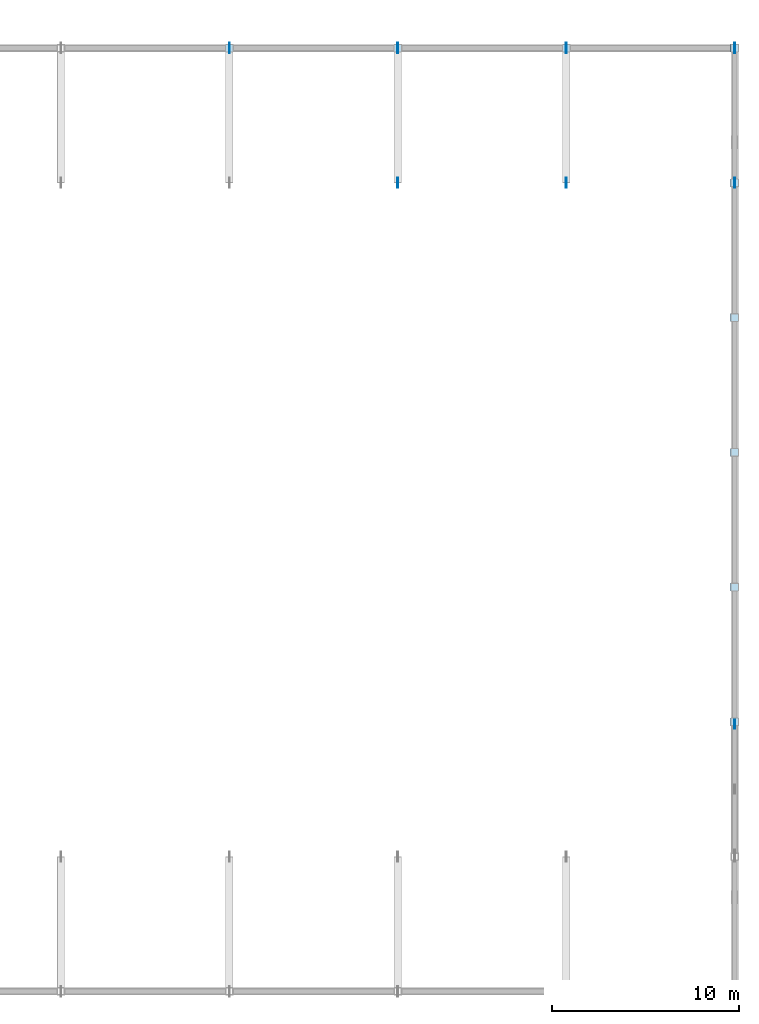
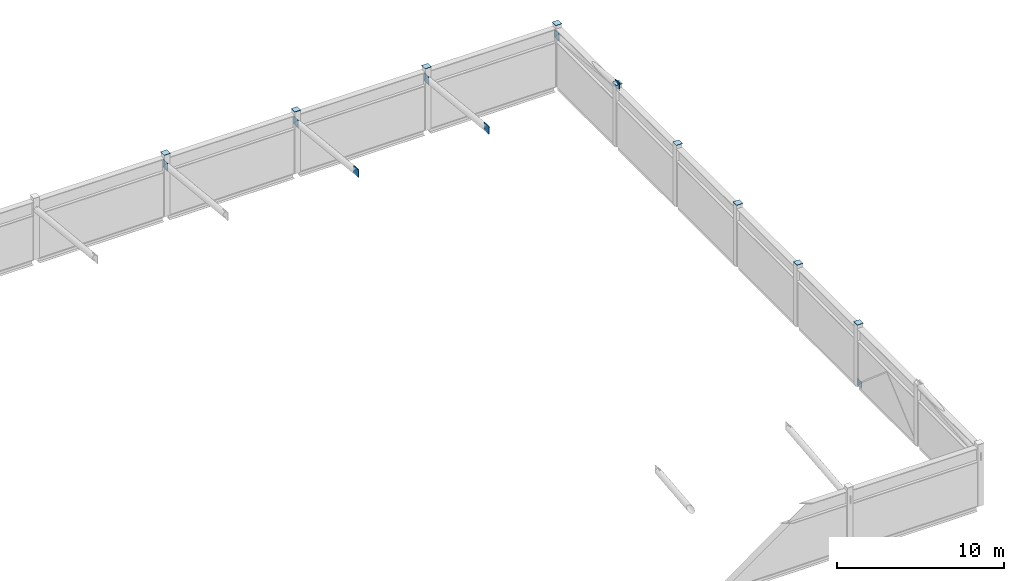
# One storey, part 98 of 124: 17 plates.
"""IFC4 building model written with IfcOpenShell, lengths in metres."""

from ifc_helpers import new_model, si_unit, direction, frame, origin, origin_2d, place, context, subcontext, project, spatial, rectangle, extrude, material, layer, layer_set, type_object, element, save


model = new_model("IFC4")

# Units and contexts
model_context = context("Model", 3, precision=1e-05, world=origin(), true_north=direction((0.0, 1.0)))
body_context = subcontext(model_context, "Body", "Model", "MODEL_VIEW")
ifc_project = project(units=[si_unit("LENGTHUNIT", "METRE"), si_unit("AREAUNIT", "SQUARE_METRE"), si_unit("VOLUMEUNIT", "CUBIC_METRE"), si_unit("PLANEANGLEUNIT", "RADIAN"), si_unit("MASSUNIT", "GRAM", prefix="KILO")], contexts=[model_context])

# Site, building, storey
site_placement = place(None, origin())
site = spatial("IfcSite", under=ifc_project, at=site_placement, CompositionType="ELEMENT")
building_placement = place(site_placement, origin())
building = spatial("IfcBuilding", under=site, at=building_placement, Name="Celestram Park Convention Centre", CompositionType="ELEMENT")
storey_placement = place(building_placement, frame((0.0, 0.0, 15.300048828125)))
storey = spatial("IfcBuildingStorey", under=building, at=storey_placement, Name="L03", CompositionType="ELEMENT", Elevation=15.300048828125)

# Plates
ifc_material = material(Name="Steel ASTM A572 Grade 50", Category="steel")
ifc_layer_1 = layer(ifc_material, 0.02490234375)
ifc_layer_set_1 = layer_set([ifc_layer_1], Name="Steel ASTM A572 Grade 50")
plate_type_1 = type_object("IfcPlateType", Name="STR-PLT-EC400", PredefinedType="USERDEFINED", material=ifc_layer_set_1)
for number, where, z_axis, x_axis, name in (
    (1, (189.0, 165.60009765625, 4.49951171875), (0.0, 0.0, 1.0), (1.0, 0.0, 0.0), "HSS column end closure cap plate EC-L03-152"),
    (2, (198.0, 165.60009765625, 4.49951171875), (0.0, 0.0, 1.0), (1.0, 0.0, 0.0), "HSS column end closure cap plate EC-L03-156"),
    (3, (207.0, 165.60009765625, 4.49951171875), (0.0, 0.0, 1.0), (1.0, 0.0, 0.0), "HSS column end closure cap plate EC-L03-160"),
    (4, (216.0, 129.60009765625, 4.49951171875), (0.0, 0.0, 1.0), (1.0, 0.0, 0.0), "HSS column end closure cap plate EC-L03-166"),
    (5, (216.0, 136.800048828125, 4.49951171875), (0.0, 0.0, 1.0), (1.0, 0.0, 0.0), "HSS column end closure cap plate EC-L03-168"),
    (6, (216.0, 144.0, 4.49951171875), (0.0, 0.0, 1.0), (1.0, 0.0, 0.0), "HSS column end closure cap plate EC-L03-170"),
    (7, (216.0, 151.199951171875, 4.49951171875), (0.0, 0.0, 1.0), (1.0, 0.0, 0.0), "HSS column end closure cap plate EC-L03-172"),
    (8, (216.0, 158.39990234375, 4.49951171875), (0.0, 0.0, 1.0), (1.0, 0.0, 0.0), "HSS column end closure cap plate EC-L03-174"),
    (9, (216.0, 165.60009765625, 4.49951171875), (0.0, 0.0, 1.0), (1.0, 0.0, 0.0), "HSS column end closure cap plate EC-L03-176"),
):
    element("IfcPlate", number, at=place(storey_placement, frame(where, z_axis=z_axis, x_axis=x_axis)), inside=storey, type_object=plate_type_1, Name=name, ObjectType="GUSSET_PLATE", PredefinedType="USERDEFINED", context=body_context, shape_type="SweptSolid", body=[
        extrude(rectangle(XDim=0.429931640625, YDim=0.429931640625, at=origin_2d()), origin(), (0.0, 0.0, 1.0), 0.02490234375),
    ])
ifc_layer_2 = layer(ifc_material, 0.031982421875)
ifc_layer_set_2 = layer_set([ifc_layer_2], Name="Steel ASTM A572 Grade 50")
plate_type_2 = type_object("IfcPlateType", Name="STR-PLT-GP32", PredefinedType="USERDEFINED", material=ifc_layer_set_2)
plate_placement = place(storey_placement, frame((216.0, 129.47998046875, -0.090087890625), z_axis=(0.0, 0.0, 1.0), x_axis=(0.0, 1.0, 0.0)))
element("IfcPlate", 10, at=plate_placement, inside=storey, type_object=plate_type_2, Name="Chevron brace base gusset GP-L03-531", ObjectType="GUSSET_PLATE", PredefinedType="USERDEFINED", context=body_context, shape_type="SweptSolid", body=[
    extrude(rectangle(XDim=0.47998046875, YDim=0.031982421875, at=origin_2d()), origin(), (0.0, 0.0, 1.0), 0.47998046875),
])
ifc_layer_3 = layer(ifc_material, 0.0400390625)
ifc_layer_set_3 = layer_set([ifc_layer_3], Name="Steel ASTM A572 Grade 50")
plate_type_3 = type_object("IfcPlateType", Name="STR-PLT-GP40", PredefinedType="USERDEFINED", material=ifc_layer_set_3)
for number, where, z_axis, x_axis, name in (
    (11, (189.0, 165.60009765625, 3.3388671875), (0.0, 0.0, 1.0), (0.0, 1.0, 0.0), "V2 truss node gusset plate"),
    (12, (198.0, 158.39990234375, 4.083984375), (0.0, 0.0, 1.0), (0.0, 1.0, 0.0), "V2 truss node gusset plate"),
    (13, (198.0, 165.60009765625, 3.3388671875), (0.0, 0.0, 1.0), (0.0, 1.0, 0.0), "V2 truss node gusset plate"),
    (14, (207.0, 158.39990234375, 4.083984375), (0.0, 0.0, 1.0), (0.0, 1.0, 0.0), "V2 truss node gusset plate"),
    (15, (207.0, 165.60009765625, 3.3388671875), (0.0, 0.0, 1.0), (0.0, 1.0, 0.0), "V2 truss node gusset plate"),
    (16, (216.0, 158.39990234375, 4.083984375), (0.0, 0.0, 1.0), (0.0, 1.0, 0.0), "V2 truss node gusset plate"),
    (17, (216.0, 165.60009765625, 3.3388671875), (0.0, 0.0, 1.0), (0.0, 1.0, 0.0), "V2 truss node gusset plate"),
):
    element("IfcPlate", number, at=place(storey_placement, frame(where, z_axis=z_axis, x_axis=x_axis)), inside=storey, type_object=plate_type_3, Name=name, ObjectType="GUSSET_PLATE", PredefinedType="USERDEFINED", context=body_context, shape_type="SweptSolid", body=[
        extrude(rectangle(XDim=0.550048828125, YDim=0.0400390625, at=origin_2d()), origin(), (0.0, 0.0, 1.0), 0.550048828125),
    ])

save(model, "model.ifc")
